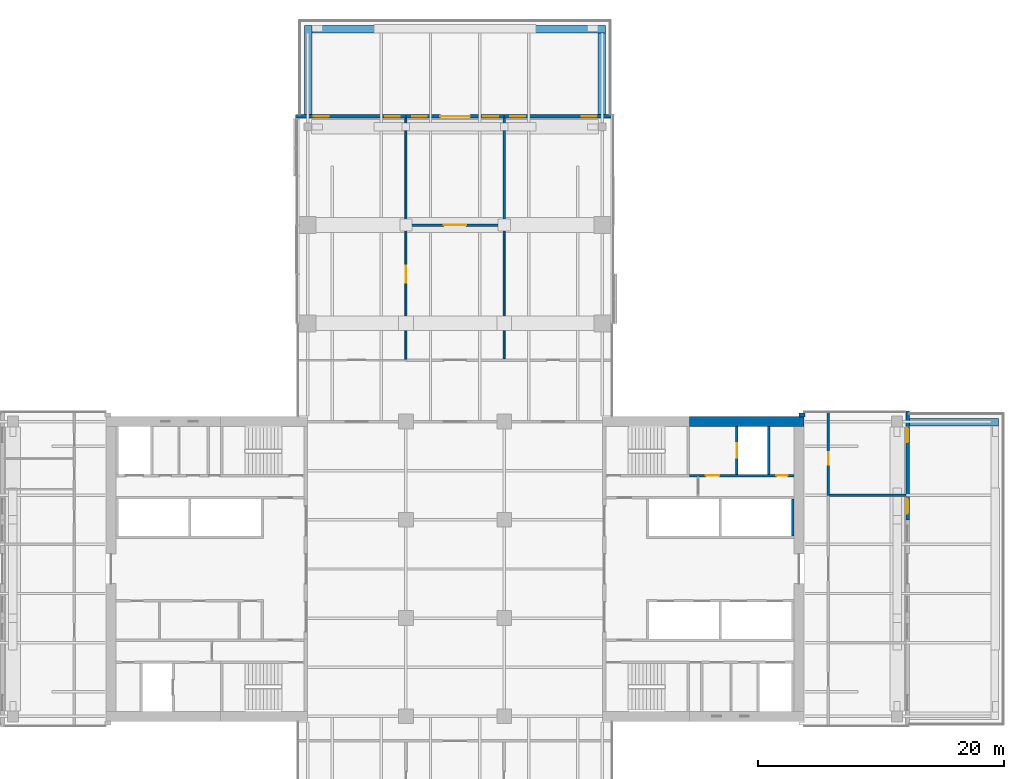
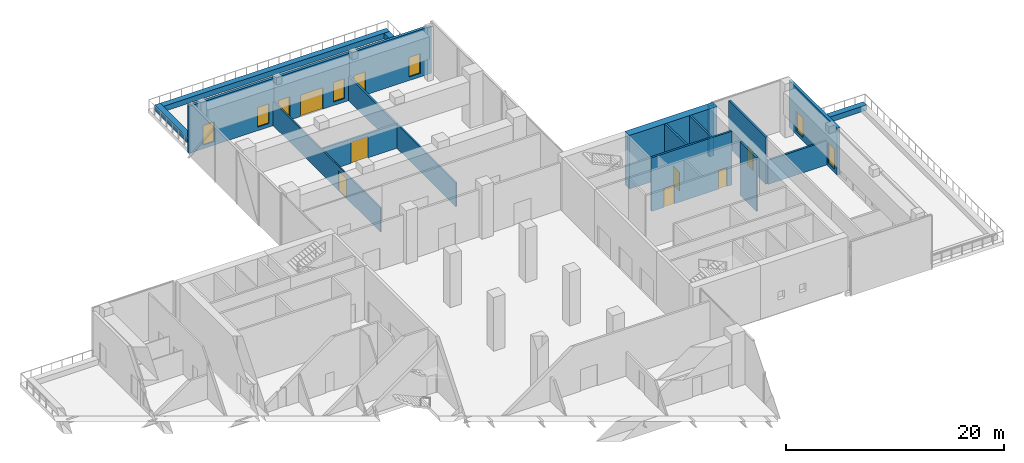
# One storey, part 18 of 23: 20 walls, 8 windows, 7 doors, 15 openings.
"""IFC4 building model written with IfcOpenShell, lengths in metres."""

from ifc_helpers import new_model, si_unit, direction, frame, frame_2d, origin, place, context, subcontext, project, spatial, rectangle, extrude, material, layer, layer_set, constituent, constituent_set, type_object, element, fill, save


model = new_model("IFC4")

# Units and contexts
model_context = context("Model", 3, precision=1e-05, world=origin(), true_north=direction((0.0, 1.0)))
body_context = subcontext(model_context, "Body", "Model", "MODEL_VIEW")
ifc_project = project(units=[si_unit("LENGTHUNIT", "METRE"), si_unit("AREAUNIT", "SQUARE_METRE"), si_unit("VOLUMEUNIT", "CUBIC_METRE"), si_unit("PLANEANGLEUNIT", "RADIAN"), si_unit("MASSUNIT", "GRAM", prefix="KILO")], contexts=[model_context])

# Site, building, storey
site_placement = place(None, origin())
site = spatial("IfcSite", under=ifc_project, at=site_placement, CompositionType="ELEMENT")
building_placement = place(site_placement, origin())
building = spatial("IfcBuilding", under=site, at=building_placement, Name="Crosswind Convention Tower", CompositionType="ELEMENT")
storey_placement = place(building_placement, frame((0.0, 0.0, 47.5)))
storey = spatial("IfcBuildingStorey", under=building, at=storey_placement, Name="L06", CompositionType="ELEMENT", Elevation=47.5)

# Wall
ifc_material_1 = material(Name="Concrete blockwork", Category="masonry")
ifc_layer_1 = layer(ifc_material_1, 0.199951171875)
ifc_layer_set_1 = layer_set([ifc_layer_1], Name="COMPARTMENT WALL 200")
wall_type_1 = type_object("IfcWallType", Name="COMPARTMENT WALL 200", PredefinedType="SOLIDWALL", material=ifc_layer_set_1)
wall_1_placement = place(storey_placement, frame((155.5, 106.0, 0.0), z_axis=(0.0, 0.0, 1.0), x_axis=(1.0, 0.0, 0.0)))
element("IfcWall", 1, at=wall_1_placement, inside=storey, type_object=wall_type_1, Name="Compartment Wall 7", PredefinedType="SOLIDWALL", context=body_context, shape_type="SweptSolid", body=[
    extrude(rectangle(XDim=6.199951171875, YDim=0.199951171875, at=frame_2d((3.10009765625, 0.0))), origin(), (0.0, 0.0, 1.0), 2.699951171875),
])

# Wall, opening, door
wall_2_placement = place(storey_placement, frame((155.39990234375, 106.0, 0.0), z_axis=(0.0, 0.0, 1.0), x_axis=(0.0, 1.0, 0.0)))
wall_2 = element("IfcWall", 2, at=wall_2_placement, inside=storey, type_object=wall_type_1, Name="Compartment Wall 29", PredefinedType="SOLIDWALL", context=body_context, shape_type="SweptSolid", body=[
    extrude(rectangle(XDim=6.800048828125, YDim=0.199951171875, at=frame_2d((3.39990234375, 0.0))), origin(), (0.0, 0.0, 1.0), 5.2626953125),
])
opening_1_placement = place(wall_2_placement, frame((2.5, 0.0, 0.0)))
opening_1 = element("IfcOpeningElement", 3, at=opening_1_placement, cuts=wall_2, Name="Opening 06.016", PredefinedType="OPENING", context=body_context, shape_type="SweptSolid", body=[
    extrude(rectangle(XDim=1.0, YDim=2.199951171875, at=frame_2d((0.5, 1.10009765625))), frame((0.0, 0.10986328125, 0.0), z_axis=(0.0, -1.0, 0.0), x_axis=(1.0, 0.0, 0.0)), (0.0, 0.0, 1.0), 0.219970703125),
])
ifc_material_2 = material(Name="Steel fire door", Category="steel")
door_type_1 = type_object("IfcDoorType", Name="PLANT ROOM DOOR 1000X2200", OperationType="NOTDEFINED", PredefinedType="DOOR", material=ifc_material_2)
door_1_placement = place(opening_1_placement, frame((1.0, 0.0, 0.0), z_axis=(0.0, 0.0, 1.0), x_axis=(-1.0, 0.0, 0.0)))
door_1 = element("IfcDoor", 4, at=door_1_placement, inside=storey, type_object=door_type_1, Name="Door 06.016", ObjectType="D6", OperationType="SINGLE_SWING_RIGHT", OverallHeight=2.199951171875, OverallWidth=1.0, PredefinedType="DOOR", context=body_context, shape_type="SweptSolid", body=[
    extrude(rectangle(XDim=1.0, YDim=2.199951171875, at=frame_2d((0.5, 1.10009765625))), frame((0.0, 0.02490234375, 0.0), z_axis=(0.0, -1.0, 0.0), x_axis=(1.0, 0.0, 0.0)), (0.0, 0.0, 1.0), 0.050048828125),
])
fill(opening_1, door_1)

# Walls
ifc_material_3 = material(Name="Plasterboard partition", Category="gypsum")
ifc_layer_2 = layer(ifc_material_3, 0.14990234375)
ifc_layer_set_2 = layer_set([ifc_layer_2], Name="CORRIDOR WALL 150")
wall_type_2 = type_object("IfcWallType", Name="CORRIDOR WALL 150", PredefinedType="PARTITIONING", material=ifc_layer_set_2)
wall_3_placement = place(storey_placement, frame((129.0, 117.10009765625, 0.0), z_axis=(0.0, 0.0, 1.0), x_axis=(0.0, 1.0, 0.0)))
element("IfcWall", 5, at=wall_3_placement, inside=storey, type_object=wall_type_2, Name="Corridor Wall 25", PredefinedType="PARTITIONING", context=body_context, shape_type="SweptSolid", body=[
    extrude(rectangle(XDim=10.89990234375, YDim=0.14990234375, at=frame_2d((5.449951171875, 0.0))), origin(), (0.0, 0.0, 1.0), 2.699951171875),
])
ifc_material_4 = material(Name="Concrete C50/60", Category="concrete")
ifc_layer_3 = layer(ifc_material_4, 0.199951171875)
ifc_layer_set_3 = layer_set([ifc_layer_3], Name="Concrete C50/60")
wall_type_3 = type_object("IfcWallType", Name="Concrete shaft and stair wall 200", PredefinedType="SHEAR", material=ifc_layer_set_3)
wall_4_placement = place(storey_placement, frame((152.5, 102.699951171875, 0.0), z_axis=(0.0, 0.0, 1.0), x_axis=(0.0, 1.0, 0.0)))
element("IfcWall", 6, at=wall_4_placement, inside=storey, type_object=wall_type_3, Name="Wall RPEAST E L06", PredefinedType="SHEAR", context=body_context, shape_type="SweptSolid", body=[
    extrude(rectangle(XDim=3.0, YDim=0.199951171875, at=frame_2d((1.5, 0.0))), origin(), (0.0, 0.0, 1.0), 6.0),
])

# Wall, opening, door
wall_5_placement = place(storey_placement, frame((147.949951171875, 107.699951171875, 0.0), z_axis=(0.0, 0.0, 1.0), x_axis=(0.0, 1.0, 0.0)))
wall_5 = element("IfcWall", 7, at=wall_5_placement, inside=storey, type_object=wall_type_3, Name="Wall PFLW E L06", PredefinedType="SHEAR", context=body_context, shape_type="SweptSolid", body=[
    extrude(rectangle(XDim=3.900146484375, YDim=0.199951171875, at=frame_2d((1.9501953125, 0.0))), origin(), (0.0, 0.0, 1.0), 6.0),
])
opening_2_placement = place(wall_5_placement, frame((1.35009765625, 0.0, 0.0)))
opening_2 = element("IfcOpeningElement", 8, at=opening_2_placement, cuts=wall_5, Name="Opening LD1", PredefinedType="OPENING", context=body_context, shape_type="SweptSolid", body=[
    extrude(rectangle(XDim=1.199951171875, YDim=2.10009765625, at=frame_2d((0.60009765625, 1.050048828125))), frame((0.0, 0.10986328125, 0.0), z_axis=(0.0, -1.0, 0.0), x_axis=(1.0, 0.0, 0.0)), (0.0, 0.0, 1.0), 0.219970703125),
])
ifc_material_5 = material(Name="Stainless steel", Category="steel")
door_type_2 = type_object("IfcDoorType", Name="Lift landing door 1200x2100", OperationType="DOUBLE_DOOR_SLIDING", PredefinedType="DOOR", material=ifc_material_5)
door_2_placement = place(opening_2_placement, origin())
door_2 = element("IfcDoor", 9, at=door_2_placement, inside=storey, type_object=door_type_2, Name="Landing door FF1 L06", ObjectType="LD1", OperationType="DOUBLE_DOOR_SLIDING", OverallHeight=2.10009765625, OverallWidth=1.199951171875, PredefinedType="DOOR", context=body_context, shape_type="SweptSolid", body=[
    extrude(rectangle(XDim=1.199951171875, YDim=2.10009765625, at=frame_2d((0.60009765625, 1.050048828125))), frame((0.0, 0.02490234375, 0.0), z_axis=(0.0, -1.0, 0.0), x_axis=(1.0, 0.0, 0.0)), (0.0, 0.0, 1.0), 0.050048828125),
])
fill(opening_2, door_2)

# Wall
wall_6_placement = place(storey_placement, frame((150.550048828125, 107.699951171875, 0.0), z_axis=(0.0, 0.0, 1.0), x_axis=(0.0, 1.0, 0.0)))
element("IfcWall", 10, at=wall_6_placement, inside=storey, type_object=wall_type_3, Name="Wall PFSE E L06", PredefinedType="SHEAR", context=body_context, shape_type="SweptSolid", body=[
    extrude(rectangle(XDim=3.900146484375, YDim=0.199951171875, at=frame_2d((1.9501953125, 0.0))), origin(), (0.0, 0.0, 1.0), 6.0),
])

# Wall, openings, doors
wall_7_placement = place(storey_placement, frame((144.10009765625, 107.60009765625, 0.0), z_axis=(0.0, 0.0, 1.0), x_axis=(1.0, 0.0, 0.0)))
wall_7 = element("IfcWall", 11, at=wall_7_placement, inside=storey, type_object=wall_type_3, Name="Wall PCX E L06", PredefinedType="SHEAR", context=body_context, shape_type="SweptSolid", body=[
    extrude(rectangle(XDim=8.5, YDim=0.199951171875, at=frame_2d((4.25, 0.0))), origin(), (0.0, 0.0, 1.0), 6.0),
])
opening_3_placement = place(wall_7_placement, frame((1.324951171875, 0.0, 0.0)))
opening_3 = element("IfcOpeningElement", 12, at=opening_3_placement, cuts=wall_7, Name="Opening D104", PredefinedType="OPENING", context=body_context, shape_type="SweptSolid", body=[
    extrude(rectangle(XDim=1.10009765625, YDim=2.10009765625, at=frame_2d((0.550048828125, 1.050048828125))), frame((0.0, 0.10986328125, 0.0), z_axis=(0.0, -1.0, 0.0), x_axis=(1.0, 0.0, 0.0)), (0.0, 0.0, 1.0), 0.219970703125),
])
opening_4_placement = place(wall_7_placement, frame((7.074951171875, 0.0, 0.0)))
opening_4 = element("IfcOpeningElement", 13, at=opening_4_placement, cuts=wall_7, Name="Opening D106", PredefinedType="OPENING", context=body_context, shape_type="SweptSolid", body=[
    extrude(rectangle(XDim=0.89990234375, YDim=2.10009765625, at=frame_2d((0.449951171875, 1.050048828125))), frame((0.0, 0.10986328125, 0.0), z_axis=(0.0, -1.0, 0.0), x_axis=(1.0, 0.0, 0.0)), (0.0, 0.0, 1.0), 0.219970703125),
])
door_type_3 = type_object("IfcDoorType", Name="Fire-rated single door 1100x2100", OperationType="NOTDEFINED", PredefinedType="DOOR", material=ifc_material_2)
door_3_placement = place(opening_3_placement, origin())
door_3 = element("IfcDoor", 14, at=door_3_placement, inside=storey, type_object=door_type_3, Name="Fire-fighting lobby FF1 door L06", ObjectType="D104", OperationType="SINGLE_SWING_RIGHT", OverallHeight=2.10009765625, OverallWidth=1.10009765625, PredefinedType="DOOR", context=body_context, shape_type="SweptSolid", body=[
    extrude(rectangle(XDim=1.10009765625, YDim=2.10009765625, at=frame_2d((0.550048828125, 1.050048828125))), frame((0.0, 0.02490234375, 0.0), z_axis=(0.0, -1.0, 0.0), x_axis=(1.0, 0.0, 0.0)), (0.0, 0.0, 1.0), 0.050048828125),
])
fill(opening_3, door_3)
ifc_material_6 = material(Name="Timber door", Category="wood")
door_type_4 = type_object("IfcDoorType", Name="Single leaf door 900x2100", OperationType="NOTDEFINED", PredefinedType="DOOR", material=ifc_material_6)
door_4_placement = place(opening_4_placement, origin())
door_4 = element("IfcDoor", 15, at=door_4_placement, inside=storey, type_object=door_type_4, Name="Door to electrical room L06", ObjectType="D106", OperationType="SINGLE_SWING_RIGHT", OverallHeight=2.10009765625, OverallWidth=0.89990234375, PredefinedType="DOOR", context=body_context, shape_type="SweptSolid", body=[
    extrude(rectangle(XDim=0.89990234375, YDim=2.10009765625, at=frame_2d((0.449951171875, 1.050048828125))), frame((0.0, 0.02490234375, 0.0), z_axis=(0.0, -1.0, 0.0), x_axis=(1.0, 0.0, 0.0)), (0.0, 0.0, 1.0), 0.050048828125),
])
fill(opening_4, door_4)

# Wall, opening, door
ifc_material_7 = material(Name="Double plasterboard partition", Category="gypsum")
ifc_layer_4 = layer(ifc_material_7, 0.199951171875)
ifc_layer_set_4 = layer_set([ifc_layer_4], Name="HALL WALL 200")
wall_type_4 = type_object("IfcWallType", Name="HALL WALL 200", PredefinedType="PARTITIONING", material=ifc_layer_set_4)
wall_8_placement = place(storey_placement, frame((121.074951171875, 128.0, 0.0), z_axis=(0.0, 0.0, 1.0), x_axis=(1.0, 0.0, 0.0)))
wall_8 = element("IfcWall", 16, at=wall_8_placement, inside=storey, type_object=wall_type_4, Name="Hall Wall 15", PredefinedType="PARTITIONING", context=body_context, shape_type="SweptSolid", body=[
    extrude(rectangle(XDim=7.85009765625, YDim=0.199951171875, at=frame_2d((3.925048828125, 0.0))), origin(), (0.0, 0.0, 1.0), 2.699951171875),
])
opening_5_placement = place(wall_8_placement, frame((3.02490234375, 0.0, 0.0)))
opening_5 = element("IfcOpeningElement", 17, at=opening_5_placement, cuts=wall_8, Name="Opening 06.007", PredefinedType="OPENING", context=body_context, shape_type="SweptSolid", body=[
    extrude(rectangle(XDim=1.800048828125, YDim=2.39990234375, at=frame_2d((0.89990234375, 1.199951171875))), frame((0.0, 0.10986328125, 0.0), z_axis=(0.0, -1.0, 0.0), x_axis=(1.0, 0.0, 0.0)), (0.0, 0.0, 1.0), 0.219970703125),
])
ifc_material_8 = material(Name="Timber fire door", Category="wood")
door_type_5 = type_object("IfcDoorType", Name="HALL DOUBLE DOOR 1800X2400", OperationType="DOUBLE_DOOR_SINGLE_SWING", PredefinedType="DOOR", material=ifc_material_8)
door_5_placement = place(opening_5_placement, frame((1.800048828125, 0.0, 0.0), z_axis=(0.0, 0.0, 1.0), x_axis=(-1.0, 0.0, 0.0)))
door_5 = element("IfcDoor", 18, at=door_5_placement, inside=storey, type_object=door_type_5, Name="Door 06.007", ObjectType="D5", OperationType="DOUBLE_DOOR_SINGLE_SWING", OverallHeight=2.39990234375, OverallWidth=1.800048828125, PredefinedType="DOOR", context=body_context, shape_type="SweptSolid", body=[
    extrude(rectangle(XDim=1.800048828125, YDim=2.39990234375, at=frame_2d((0.89990234375, 1.199951171875))), frame((0.0, 0.02490234375, 0.0), z_axis=(0.0, -1.0, 0.0), x_axis=(1.0, 0.0, 0.0)), (0.0, 0.0, 1.0), 0.050048828125),
])
fill(opening_5, door_5)

# Wall
wall_9_placement = place(storey_placement, frame((129.0, 128.0, 0.0), z_axis=(0.0, 0.0, 1.0), x_axis=(0.0, 1.0, 0.0)))
element("IfcWall", 19, at=wall_9_placement, inside=storey, type_object=wall_type_4, Name="Hall Wall 26", PredefinedType="PARTITIONING", context=body_context, shape_type="SweptSolid", body=[
    extrude(rectangle(XDim=8.699951171875, YDim=0.199951171875, at=frame_2d((4.35009765625, 0.0))), origin(), (0.0, 0.0, 1.0), 2.699951171875),
])

# Wall, opening, door
ifc_material_9 = material(Name="Tiled blockwork", Category="masonry")
ifc_layer_5 = layer(ifc_material_9, 0.14990234375)
ifc_layer_set_5 = layer_set([ifc_layer_5], Name="KITCHEN WALL 150")
wall_type_5 = type_object("IfcWallType", Name="KITCHEN WALL 150", PredefinedType="SOLIDWALL", material=ifc_layer_set_5)
wall_10_placement = place(storey_placement, frame((121.0, 117.074951171875, 0.0), z_axis=(0.0, 0.0, 1.0), x_axis=(0.0, 1.0, 0.0)))
wall_10 = element("IfcWall", 20, at=wall_10_placement, inside=storey, type_object=wall_type_5, Name="Kitchen Wall 21", PredefinedType="SOLIDWALL", context=body_context, shape_type="SweptSolid", body=[
    extrude(rectangle(XDim=19.625, YDim=0.14990234375, at=frame_2d((9.8125, 0.0))), origin(), (0.0, 0.0, 1.0), 2.699951171875),
])
opening_6_placement = place(wall_10_placement, frame((6.22509765625, 0.0, 0.0)))
opening_6 = element("IfcOpeningElement", 21, at=opening_6_placement, cuts=wall_10, Name="Opening 06.008", PredefinedType="OPENING", context=body_context, shape_type="SweptSolid", body=[
    extrude(rectangle(XDim=1.39990234375, YDim=2.199951171875, at=frame_2d((0.699951171875, 1.10009765625))), frame((0.0, 0.0849609375, 0.0), z_axis=(0.0, -1.0, 0.0), x_axis=(1.0, 0.0, 0.0)), (0.0, 0.0, 1.0), 0.169921875),
])
ifc_material_10 = material(Name="Stainless steel door", Category="steel")
door_type_6 = type_object("IfcDoorType", Name="KITCHEN DOOR 1400X2200", OperationType="DOUBLE_DOOR_SINGLE_SWING", PredefinedType="DOOR", material=ifc_material_10)
door_6_placement = place(opening_6_placement, origin())
door_6 = element("IfcDoor", 22, at=door_6_placement, inside=storey, type_object=door_type_6, Name="Door 06.008", ObjectType="D12", OperationType="DOUBLE_DOOR_SINGLE_SWING", OverallHeight=2.199951171875, OverallWidth=1.39990234375, PredefinedType="DOOR", context=body_context, shape_type="SweptSolid", body=[
    extrude(rectangle(XDim=1.39990234375, YDim=2.199951171875, at=frame_2d((0.699951171875, 1.10009765625))), frame((0.0, 0.02490234375, 0.0), z_axis=(0.0, -1.0, 0.0), x_axis=(1.0, 0.0, 0.0)), (0.0, 0.0, 1.0), 0.050048828125),
])
fill(opening_6, door_6)

# Walls
ifc_material_11 = material(Name="Concrete C30/37", Category="concrete")
ifc_layer_6 = layer(ifc_material_11, 0.60009765625)
ifc_layer_set_6 = layer_set([ifc_layer_6], Name="Concrete C30/37")
wall_type_6 = type_object("IfcWallType", Name="PLANTER BOX WALL 600", PredefinedType="SOLIDWALL", material=ifc_layer_set_6)
wall_11_placement = place(storey_placement, frame((113.050048828125, 137.0, 0.0), z_axis=(0.0, 0.0, 1.0), x_axis=(0.0, 1.0, 0.0)))
element("IfcWall", 23, at=wall_11_placement, inside=storey, type_object=wall_type_6, Name="PLANTER L06 N 1", PredefinedType="SOLIDWALL", context=body_context, shape_type="SweptSolid", body=[
    extrude(rectangle(XDim=7.25, YDim=0.60009765625, at=frame_2d((3.625, 0.0))), origin(), (0.0, 0.0, 1.0), 0.60009765625),
])
wall_12_placement = place(storey_placement, frame((113.35009765625, 143.949951171875, 0.0), z_axis=(0.0, 0.0, 1.0), x_axis=(1.0, 0.0, 0.0)))
element("IfcWall", 24, at=wall_12_placement, inside=storey, type_object=wall_type_6, Name="PLANTER L06 N 2", PredefinedType="SOLIDWALL", context=body_context, shape_type="SweptSolid", body=[
    extrude(rectangle(XDim=23.89990234375, YDim=0.60009765625, at=frame_2d((11.949951171875, 0.0))), origin(), (0.0, 0.0, 1.0), 0.60009765625),
])
wall_13_placement = place(storey_placement, frame((136.949951171875, 143.64990234375, 0.0), z_axis=(0.0, 0.0, 1.0), x_axis=(0.0, -1.0, 0.0)))
element("IfcWall", 25, at=wall_13_placement, inside=storey, type_object=wall_type_6, Name="PLANTER L06 N 3", PredefinedType="SOLIDWALL", context=body_context, shape_type="SweptSolid", body=[
    extrude(rectangle(XDim=6.64990234375, YDim=0.60009765625, at=frame_2d((3.324951171875, 0.0))), origin(), (0.0, 0.0, 1.0), 0.60009765625),
])
wall_14_placement = place(storey_placement, frame((162.0, 111.949951171875, 0.0), z_axis=(0.0, 0.0, 1.0), x_axis=(1.0, 0.0, 0.0)))
element("IfcWall", 26, at=wall_14_placement, inside=storey, type_object=wall_type_6, Name="PLANTER L06 E 1", PredefinedType="SOLIDWALL", context=body_context, shape_type="SweptSolid", body=[
    extrude(rectangle(XDim=7.25, YDim=0.60009765625, at=frame_2d((3.625, 0.0))), origin(), (0.0, 0.0, 1.0), 0.60009765625),
])
ifc_material_12 = material(Name="Terracotta rainscreen", Category="ceramic")
ifc_layer_7 = layer(ifc_material_12, 0.02001953125)
ifc_material_13 = material(Name="Mineral wool insulation", Category="insulation")
ifc_layer_8 = layer(ifc_material_13, 0.10009765625)
ifc_layer_9 = layer(ifc_material_1, 0.199951171875)
ifc_layer_set_7 = layer_set([ifc_layer_7, ifc_layer_8, ifc_layer_9], Name="TERRACOTTA CORNER INFILL WALL 320")
wall_type_7 = type_object("IfcWallType", Name="TERRACOTTA CORNER INFILL WALL 320", PredefinedType="SOLIDWALL", material=ifc_layer_set_7)
wall_15_placement = place(storey_placement, frame((153.0, 112.5400390625, 0.0), z_axis=(0.0, 0.0, 1.0), x_axis=(1.0, 0.0, 0.0)))
element("IfcWall", 27, at=wall_15_placement, inside=storey, type_object=wall_type_7, Name="Core corner infill wall L06 1", PredefinedType="SOLIDWALL", context=body_context, shape_type="SweptSolid", body=[
    extrude(rectangle(XDim=0.5048828125, YDim=0.320068359375, at=frame_2d((0.25244140625, 0.0))), origin(), (0.0, 0.0, 1.0), 5.719970703125),
])

# Wall, openings, windows
ifc_layer_10 = layer(ifc_material_12, 0.02001953125)
ifc_layer_11 = layer(ifc_material_13, 0.10009765625)
ifc_layer_12 = layer(ifc_material_1, 0.179931640625)
ifc_layer_set_8 = layer_set([ifc_layer_10, ifc_layer_11, ifc_layer_12], Name="TERRACOTTA INFILL WALL 300")
wall_type_8 = type_object("IfcWallType", Name="TERRACOTTA INFILL WALL 300", PredefinedType="SOLIDWALL", material=ifc_layer_set_8)
wall_16_placement = place(storey_placement, frame((161.85009765625, 104.0, 0.0), z_axis=(0.0, 0.0, 1.0), x_axis=(0.0, 1.0, 0.0)))
wall_16 = element("IfcWall", 28, at=wall_16_placement, inside=storey, type_object=wall_type_8, Name="Terrace front wall L06 E-TIP.1-3", PredefinedType="SOLIDWALL", context=body_context, shape_type="SweptSolid", body=[
    extrude(rectangle(XDim=8.860107421875, YDim=0.300048828125, at=frame_2d((4.43017578125, 0.0))), origin(), (0.0, 0.0, 1.0), 5.25634765625),
])
opening_7_placement = place(wall_16_placement, frame((0.5, 0.0, 0.39990234375)))
opening_7 = element("IfcOpeningElement", 29, at=opening_7_placement, cuts=wall_16, Name="Opening W10", PredefinedType="OPENING", context=body_context, shape_type="SweptSolid", body=[
    extrude(rectangle(XDim=1.199951171875, YDim=2.199951171875, at=frame_2d((0.60009765625, 1.10009765625))), frame((0.0, 0.159912109375, 0.0), z_axis=(0.0, -1.0, 0.0), x_axis=(1.0, 0.0, 0.0)), (0.0, 0.0, 1.0), 0.320068359375),
])
opening_8_placement = place(wall_16_placement, frame((6.300048828125, 0.0, 0.39990234375)))
opening_8 = element("IfcOpeningElement", 30, at=opening_8_placement, cuts=wall_16, Name="Opening W10", PredefinedType="OPENING", context=body_context, shape_type="SweptSolid", body=[
    extrude(rectangle(XDim=1.199951171875, YDim=2.199951171875, at=frame_2d((0.60009765625, 1.10009765625))), frame((0.0, 0.159912109375, 0.0), z_axis=(0.0, -1.0, 0.0), x_axis=(1.0, 0.0, 0.0)), (0.0, 0.0, 1.0), 0.320068359375),
])
ifc_material_14 = material(Name="Aluminium window", Category="aluminium")
window_type = type_object("IfcWindowType", Name="TERRACE FRONT WINDOW 1200X2200", PartitioningType="SINGLE_PANEL", PredefinedType="WINDOW", material=ifc_material_14)
window_1_placement = place(opening_7_placement, origin())
window_1 = element("IfcWindow", 31, at=window_1_placement, inside=storey, type_object=window_type, Name="W10 terrace window L06 E-TIP.1-3.1", ObjectType="W10", OverallHeight=2.199951171875, OverallWidth=1.199951171875, PartitioningType="SINGLE_PANEL", PredefinedType="WINDOW", context=body_context, shape_type="SweptSolid", body=[
    extrude(rectangle(XDim=1.199951171875, YDim=2.199951171875, at=frame_2d((0.60009765625, 1.10009765625))), frame((0.0, 0.030029296875, 0.0), z_axis=(0.0, -1.0, 0.0), x_axis=(1.0, 0.0, 0.0)), (0.0, 0.0, 1.0), 0.06005859375),
])
fill(opening_7, window_1)
window_2_placement = place(opening_8_placement, origin())
window_2 = element("IfcWindow", 32, at=window_2_placement, inside=storey, type_object=window_type, Name="W10 terrace window L06 E-TIP.1-3.2", ObjectType="W10", OverallHeight=2.199951171875, OverallWidth=1.199951171875, PartitioningType="SINGLE_PANEL", PredefinedType="WINDOW", context=body_context, shape_type="SweptSolid", body=[
    extrude(rectangle(XDim=1.199951171875, YDim=2.199951171875, at=frame_2d((0.60009765625, 1.10009765625))), frame((0.0, 0.030029296875, 0.0), z_axis=(0.0, -1.0, 0.0), x_axis=(1.0, 0.0, 0.0)), (0.0, 0.0, 1.0), 0.06005859375),
])
fill(opening_8, window_2)

wall_17_placement = place(storey_placement, frame((137.699951171875, 136.85009765625, 0.0), z_axis=(0.0, 0.0, 1.0), x_axis=(-1.0, 0.0, 0.0)))
wall_17 = element("IfcWall", 33, at=wall_17_placement, inside=storey, type_object=wall_type_8, Name="Terrace front wall L06 N-TIP.1-1", PredefinedType="SOLIDWALL", context=body_context, shape_type="SweptSolid", body=[
    extrude(rectangle(XDim=8.699951171875, YDim=0.300048828125, at=frame_2d((4.35009765625, 0.0))), origin(), (0.0, 0.0, 1.0), 5.259765625),
])
opening_9_placement = place(wall_17_placement, frame((1.199951171875, 0.0, 0.39990234375)))
opening_9 = element("IfcOpeningElement", 34, at=opening_9_placement, cuts=wall_17, Name="Opening W10", PredefinedType="OPENING", context=body_context, shape_type="SweptSolid", body=[
    extrude(rectangle(XDim=1.199951171875, YDim=2.199951171875, at=frame_2d((0.60009765625, 1.10009765625))), frame((0.0, 0.159912109375, 0.0), z_axis=(0.0, -1.0, 0.0), x_axis=(1.0, 0.0, 0.0)), (0.0, 0.0, 1.0), 0.320068359375),
])
opening_10_placement = place(wall_17_placement, frame((7.0, 0.0, 0.39990234375)))
opening_10 = element("IfcOpeningElement", 35, at=opening_10_placement, cuts=wall_17, Name="Opening W10", PredefinedType="OPENING", context=body_context, shape_type="SweptSolid", body=[
    extrude(rectangle(XDim=1.199951171875, YDim=2.199951171875, at=frame_2d((0.60009765625, 1.10009765625))), frame((0.0, 0.159912109375, 0.0), z_axis=(0.0, -1.0, 0.0), x_axis=(1.0, 0.0, 0.0)), (0.0, 0.0, 1.0), 0.320068359375),
])
window_3_placement = place(opening_9_placement, origin())
window_3 = element("IfcWindow", 36, at=window_3_placement, inside=storey, type_object=window_type, Name="W10 terrace window L06 N-TIP.1-1.1", ObjectType="W10", OverallHeight=2.199951171875, OverallWidth=1.199951171875, PartitioningType="SINGLE_PANEL", PredefinedType="WINDOW", context=body_context, shape_type="SweptSolid", body=[
    extrude(rectangle(XDim=1.199951171875, YDim=2.199951171875, at=frame_2d((0.60009765625, 1.10009765625))), frame((0.0, 0.030029296875, 0.0), z_axis=(0.0, -1.0, 0.0), x_axis=(1.0, 0.0, 0.0)), (0.0, 0.0, 1.0), 0.06005859375),
])
fill(opening_9, window_3)
window_4_placement = place(opening_10_placement, origin())
window_4 = element("IfcWindow", 37, at=window_4_placement, inside=storey, type_object=window_type, Name="W10 terrace window L06 N-TIP.1-1.2", ObjectType="W10", OverallHeight=2.199951171875, OverallWidth=1.199951171875, PartitioningType="SINGLE_PANEL", PredefinedType="WINDOW", context=body_context, shape_type="SweptSolid", body=[
    extrude(rectangle(XDim=1.199951171875, YDim=2.199951171875, at=frame_2d((0.60009765625, 1.10009765625))), frame((0.0, 0.030029296875, 0.0), z_axis=(0.0, -1.0, 0.0), x_axis=(1.0, 0.0, 0.0)), (0.0, 0.0, 1.0), 0.06005859375),
])
fill(opening_10, window_4)

# Wall, openings, door, windows
wall_18_placement = place(storey_placement, frame((129.0, 136.85009765625, 0.0), z_axis=(0.0, 0.0, 1.0), x_axis=(-1.0, 0.0, 0.0)))
wall_18 = element("IfcWall", 38, at=wall_18_placement, inside=storey, type_object=wall_type_8, Name="Terrace front wall L06 N-TIP.1-2", PredefinedType="SOLIDWALL", context=body_context, shape_type="SweptSolid", body=[
    extrude(rectangle(XDim=8.0, YDim=0.300048828125, at=frame_2d((4.0, 0.0))), origin(), (0.0, 0.0, 1.0), 5.259765625),
])
opening_11_placement = place(wall_18_placement, frame((2.800048828125, 0.0, 0.0)))
opening_11 = element("IfcOpeningElement", 39, at=opening_11_placement, cuts=wall_18, Name="Opening D140", PredefinedType="OPENING", context=body_context, shape_type="SweptSolid", body=[
    extrude(rectangle(XDim=2.39990234375, YDim=2.39990234375, at=frame_2d((1.199951171875, 1.199951171875))), frame((0.0, 0.159912109375, 0.0), z_axis=(0.0, -1.0, 0.0), x_axis=(1.0, 0.0, 0.0)), (0.0, 0.0, 1.0), 0.320068359375),
])
opening_12_placement = place(wall_18_placement, frame((0.5, 0.0, 0.39990234375)))
opening_12 = element("IfcOpeningElement", 40, at=opening_12_placement, cuts=wall_18, Name="Opening W10", PredefinedType="OPENING", context=body_context, shape_type="SweptSolid", body=[
    extrude(rectangle(XDim=1.199951171875, YDim=2.199951171875, at=frame_2d((0.60009765625, 1.10009765625))), frame((0.0, 0.159912109375, 0.0), z_axis=(0.0, -1.0, 0.0), x_axis=(1.0, 0.0, 0.0)), (0.0, 0.0, 1.0), 0.320068359375),
])
opening_13_placement = place(wall_18_placement, frame((6.300048828125, 0.0, 0.39990234375)))
opening_13 = element("IfcOpeningElement", 41, at=opening_13_placement, cuts=wall_18, Name="Opening W10", PredefinedType="OPENING", context=body_context, shape_type="SweptSolid", body=[
    extrude(rectangle(XDim=1.199951171875, YDim=2.199951171875, at=frame_2d((0.60009765625, 1.10009765625))), frame((0.0, 0.159912109375, 0.0), z_axis=(0.0, -1.0, 0.0), x_axis=(1.0, 0.0, 0.0)), (0.0, 0.0, 1.0), 0.320068359375),
])
ifc_material_15 = material(Name="Aluminium glazed door", Category="aluminium")
door_type_7 = type_object("IfcDoorType", Name="GLAZED DOUBLE DOOR 2400X2400", OperationType="DOUBLE_DOOR_SINGLE_SWING", PredefinedType="DOOR", material=ifc_material_15)
door_7_placement = place(opening_11_placement, frame((2.39990234375, 0.0, 0.0), z_axis=(0.0, 0.0, 1.0), x_axis=(-1.0, 0.0, 0.0)))
door_7 = element("IfcDoor", 42, at=door_7_placement, inside=storey, type_object=door_type_7, Name="D140 terrace door L06 N-TIP.1-2", ObjectType="D140", OperationType="DOUBLE_DOOR_SINGLE_SWING", OverallHeight=2.39990234375, OverallWidth=2.39990234375, PredefinedType="DOOR", context=body_context, shape_type="SweptSolid", body=[
    extrude(rectangle(XDim=2.39990234375, YDim=2.39990234375, at=frame_2d((1.199951171875, 1.199951171875))), frame((0.0, 0.02490234375, 0.0), z_axis=(0.0, -1.0, 0.0), x_axis=(1.0, 0.0, 0.0)), (0.0, 0.0, 1.0), 0.050048828125),
])
fill(opening_11, door_7)
window_5_placement = place(opening_12_placement, origin())
window_5 = element("IfcWindow", 43, at=window_5_placement, inside=storey, type_object=window_type, Name="W10 terrace window L06 N-TIP.1-2.1", ObjectType="W10", OverallHeight=2.199951171875, OverallWidth=1.199951171875, PartitioningType="SINGLE_PANEL", PredefinedType="WINDOW", context=body_context, shape_type="SweptSolid", body=[
    extrude(rectangle(XDim=1.199951171875, YDim=2.199951171875, at=frame_2d((0.60009765625, 1.10009765625))), frame((0.0, 0.030029296875, 0.0), z_axis=(0.0, -1.0, 0.0), x_axis=(1.0, 0.0, 0.0)), (0.0, 0.0, 1.0), 0.06005859375),
])
fill(opening_12, window_5)
window_6_placement = place(opening_13_placement, origin())
window_6 = element("IfcWindow", 44, at=window_6_placement, inside=storey, type_object=window_type, Name="W10 terrace window L06 N-TIP.1-2.2", ObjectType="W10", OverallHeight=2.199951171875, OverallWidth=1.199951171875, PartitioningType="SINGLE_PANEL", PredefinedType="WINDOW", context=body_context, shape_type="SweptSolid", body=[
    extrude(rectangle(XDim=1.199951171875, YDim=2.199951171875, at=frame_2d((0.60009765625, 1.10009765625))), frame((0.0, 0.030029296875, 0.0), z_axis=(0.0, -1.0, 0.0), x_axis=(1.0, 0.0, 0.0)), (0.0, 0.0, 1.0), 0.06005859375),
])
fill(opening_13, window_6)

# Wall, openings, windows
wall_19_placement = place(storey_placement, frame((121.0, 136.85009765625, 0.0), z_axis=(0.0, 0.0, 1.0), x_axis=(-1.0, 0.0, 0.0)))
wall_19 = element("IfcWall", 45, at=wall_19_placement, inside=storey, type_object=wall_type_8, Name="Terrace front wall L06 N-TIP.1-3", PredefinedType="SOLIDWALL", context=body_context, shape_type="SweptSolid", body=[
    extrude(rectangle(XDim=8.97998046875, YDim=0.300048828125, at=frame_2d((4.489990234375, 0.0))), origin(), (0.0, 0.0, 1.0), 5.259765625),
])
opening_14_placement = place(wall_19_placement, frame((0.5, 0.0, 0.39990234375)))
opening_14 = element("IfcOpeningElement", 46, at=opening_14_placement, cuts=wall_19, Name="Opening W10", PredefinedType="OPENING", context=body_context, shape_type="SweptSolid", body=[
    extrude(rectangle(XDim=1.199951171875, YDim=2.199951171875, at=frame_2d((0.60009765625, 1.10009765625))), frame((0.0, 0.159912109375, 0.0), z_axis=(0.0, -1.0, 0.0), x_axis=(1.0, 0.0, 0.0)), (0.0, 0.0, 1.0), 0.320068359375),
])
opening_15_placement = place(wall_19_placement, frame((6.300048828125, 0.0, 0.39990234375)))
opening_15 = element("IfcOpeningElement", 47, at=opening_15_placement, cuts=wall_19, Name="Opening W10", PredefinedType="OPENING", context=body_context, shape_type="SweptSolid", body=[
    extrude(rectangle(XDim=1.199951171875, YDim=2.199951171875, at=frame_2d((0.60009765625, 1.10009765625))), frame((0.0, 0.159912109375, 0.0), z_axis=(0.0, -1.0, 0.0), x_axis=(1.0, 0.0, 0.0)), (0.0, 0.0, 1.0), 0.320068359375),
])
window_7_placement = place(opening_14_placement, origin())
window_7 = element("IfcWindow", 48, at=window_7_placement, inside=storey, type_object=window_type, Name="W10 terrace window L06 N-TIP.1-3.1", ObjectType="W10", OverallHeight=2.199951171875, OverallWidth=1.199951171875, PartitioningType="SINGLE_PANEL", PredefinedType="WINDOW", context=body_context, shape_type="SweptSolid", body=[
    extrude(rectangle(XDim=1.199951171875, YDim=2.199951171875, at=frame_2d((0.60009765625, 1.10009765625))), frame((0.0, 0.030029296875, 0.0), z_axis=(0.0, -1.0, 0.0), x_axis=(1.0, 0.0, 0.0)), (0.0, 0.0, 1.0), 0.06005859375),
])
fill(opening_14, window_7)
window_8_placement = place(opening_15_placement, origin())
window_8 = element("IfcWindow", 49, at=window_8_placement, inside=storey, type_object=window_type, Name="W10 terrace window L06 N-TIP.1-3.2", ObjectType="W10", OverallHeight=2.199951171875, OverallWidth=1.199951171875, PartitioningType="SINGLE_PANEL", PredefinedType="WINDOW", context=body_context, shape_type="SweptSolid", body=[
    extrude(rectangle(XDim=1.199951171875, YDim=2.199951171875, at=frame_2d((0.60009765625, 1.10009765625))), frame((0.0, 0.030029296875, 0.0), z_axis=(0.0, -1.0, 0.0), x_axis=(1.0, 0.0, 0.0)), (0.0, 0.0, 1.0), 0.06005859375),
])
fill(opening_15, window_8)

# Wall
ifc_material_16 = material(Name="Concrete C60/75", Category="concrete")
ifc_constituent_1 = constituent(ifc_material_16, Name="Structure")
ifc_constituent_2 = constituent(ifc_material_12, Name="Facing")
ifc_constituent_set = constituent_set(constituents=[ifc_constituent_1, ifc_constituent_2], Name="Concrete C60/75, Terracotta rainscreen")
wall_type_9 = type_object("IfcWallType", Name="Terracotta rainscreen on concrete core wall 800", PredefinedType="SHEAR", material=ifc_constituent_set)
wall_20_placement = place(storey_placement, frame((144.10009765625, 112.0, 0.0), z_axis=(0.0, 0.0, 1.0), x_axis=(1.0, 0.0, 0.0)))
element("IfcWall", 50, at=wall_20_placement, inside=storey, type_object=wall_type_9, Name="Wall N2 E L06", PredefinedType="SHEAR", context=body_context, shape_type="SweptSolid", body=[
    extrude(rectangle(XDim=9.2998046875, YDim=0.800048828125, at=frame_2d((4.64990234375, 0.0))), origin(), (0.0, 0.0, 1.0), 6.0),
])

save(model, "model.ifc")
